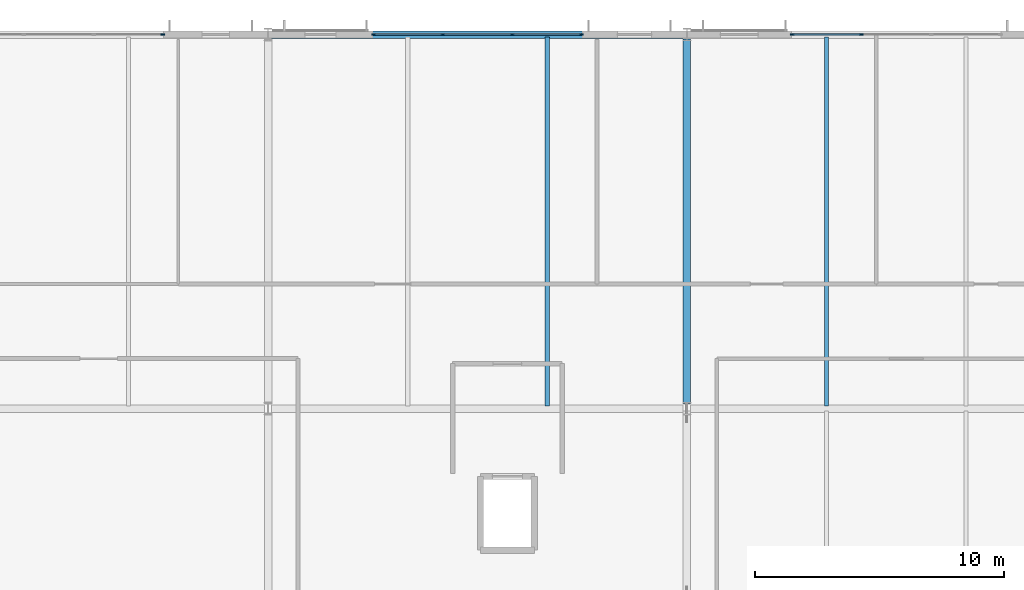
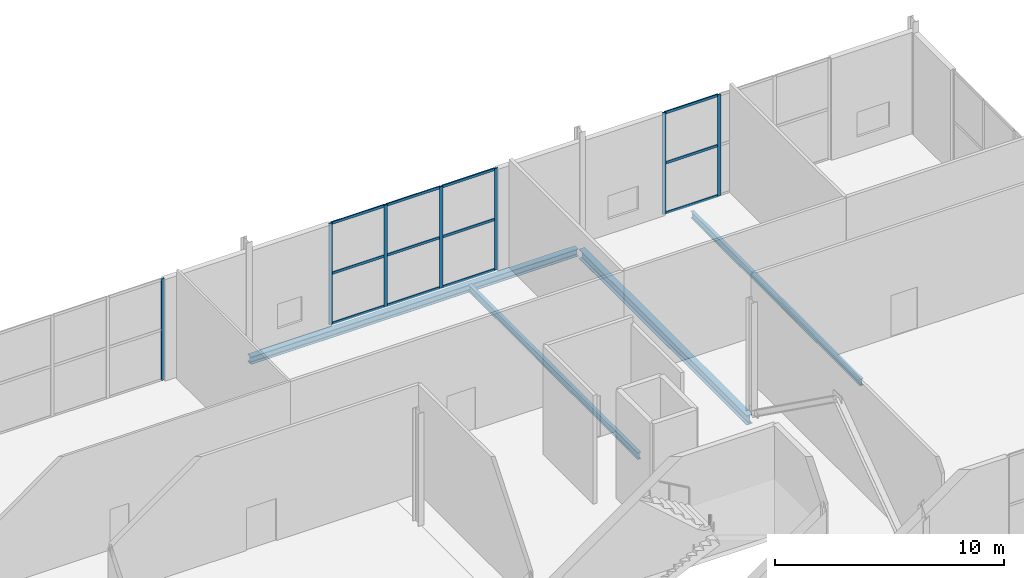
# One storey, part 44 of 100: 19 members, 4 beams, 3 elements without a shape of their own.
"""IFC4 building model written with IfcOpenShell, lengths in metres."""

from ifc_helpers import new_model, si_unit, direction, frame, origin, origin_2d, place, context, subcontext, project, spatial, rectangle, i_section, extrude, material, material_profile, profile_set, type_object, element, aggregate, save


model = new_model("IFC4")

# Units and contexts
model_context = context("Model", 3, precision=1e-05, world=origin(), true_north=direction((0.0, 1.0)))
body_context = subcontext(model_context, "Body", "Model", "MODEL_VIEW")
ifc_project = project(units=[si_unit("LENGTHUNIT", "METRE"), si_unit("AREAUNIT", "SQUARE_METRE"), si_unit("VOLUMEUNIT", "CUBIC_METRE"), si_unit("PLANEANGLEUNIT", "RADIAN"), si_unit("MASSUNIT", "GRAM", prefix="KILO")], contexts=[model_context])

# Site, building, storey
site_placement = place(None, origin())
site = spatial("IfcSite", under=ifc_project, at=site_placement, CompositionType="ELEMENT")
building_placement = place(site_placement, origin())
building = spatial("IfcBuilding", under=site, at=building_placement, Name="Kimbaza Rail Terminus", CompositionType="ELEMENT")
storey_placement = place(building_placement, frame((0.0, 0.0, 10.800048828125)))
storey = spatial("IfcBuildingStorey", under=building, at=storey_placement, Name="L02", CompositionType="ELEMENT", Elevation=10.800048828125)

# Curtain wall, member
ifc_material_1 = material(Name="Anodised aluminium framing and solar low-E glazing", Category="aluminium")
curtain_wall_type = type_object("IfcCurtainWallType", Name="ARC-CW-OP1", PredefinedType="USERDEFINED", material=ifc_material_1)
curtain_wall_1_placement = place(storey_placement, origin())
curtain_wall_1 = element("IfcCurtainWall", 1, at=curtain_wall_1_placement, inside=storey, type_object=curtain_wall_type, Name="Operations North Curtain Wall L02 Bay 4", ObjectType="UNITISED CURTAIN WALL", PredefinedType="USERDEFINED")
ifc_material_2 = material(Name="Anodised architectural aluminium", Category="aluminium")
ifc_material_profile_1 = material_profile(ifc_material_2, rectangle(XDim=0.06201171875, YDim=0.1650390625, at=origin_2d()), Name="MULLION 62x165")
ifc_profile_set_1 = profile_set([ifc_material_profile_1], Name="Anodised architectural aluminium")
member_type_1 = type_object("IfcMemberType", Name="ARC-CWM-05", PredefinedType="MULLION", material=ifc_profile_set_1)
member_1_placement = place(storey_placement, frame((118.1689453125, 133.0, 0.0), z_axis=(0.0, 0.0, 1.0), x_axis=(0.0, 1.0, 0.0)))
member_1 = element("IfcMember", 2, at=member_1_placement, type_object=member_type_1, Name="CW-05 mullion 4", PredefinedType="MULLION", context=body_context, shape_type="SweptSolid", body=[
    extrude(rectangle(XDim=0.06201171875, YDim=0.1650390625, at=origin_2d()), origin(), (0.0, 0.0, 1.0), 5.405029296875),
])
aggregate(curtain_wall_1, [member_1])

# Curtain wall, members
curtain_wall_2_placement = place(storey_placement, origin())
curtain_wall_2 = element("IfcCurtainWall", 3, at=curtain_wall_2_placement, inside=storey, type_object=curtain_wall_type, Name="Operations North Curtain Wall L02 Bay 5", ObjectType="UNITISED CURTAIN WALL", PredefinedType="USERDEFINED")
member_2_placement = place(storey_placement, frame((126.631103515625, 133.0, 0.0), z_axis=(0.0, 0.0, 1.0), x_axis=(0.0, 1.0, 0.0)))
member_2 = element("IfcMember", 4, at=member_2_placement, type_object=member_type_1, Name="CW-05 mullion 1", PredefinedType="MULLION", context=body_context, shape_type="SweptSolid", body=[
    extrude(rectangle(XDim=0.06201171875, YDim=0.1650390625, at=origin_2d()), origin(), (0.0, 0.0, 1.0), 5.405029296875),
])
member_3_placement = place(storey_placement, frame((129.39990234375, 133.0, 0.0), z_axis=(0.0, 0.0, 1.0), x_axis=(0.0, 1.0, 0.0)))
member_3 = element("IfcMember", 5, at=member_3_placement, type_object=member_type_1, Name="CW-05 mullion 2", PredefinedType="MULLION", context=body_context, shape_type="SweptSolid", body=[
    extrude(rectangle(XDim=0.06201171875, YDim=0.1650390625, at=origin_2d()), origin(), (0.0, 0.0, 1.0), 5.405029296875),
])
member_4_placement = place(storey_placement, frame((132.199951171875, 133.0, 0.0), z_axis=(0.0, 0.0, 1.0), x_axis=(0.0, 1.0, 0.0)))
member_4 = element("IfcMember", 6, at=member_4_placement, type_object=member_type_1, Name="CW-05 mullion 3", PredefinedType="MULLION", context=body_context, shape_type="SweptSolid", body=[
    extrude(rectangle(XDim=0.06201171875, YDim=0.1650390625, at=origin_2d()), origin(), (0.0, 0.0, 1.0), 5.405029296875),
])
member_5_placement = place(storey_placement, frame((134.968994140625, 133.0, 0.0), z_axis=(0.0, 0.0, 1.0), x_axis=(0.0, 1.0, 0.0)))
member_5 = element("IfcMember", 7, at=member_5_placement, type_object=member_type_1, Name="CW-05 mullion 4", PredefinedType="MULLION", context=body_context, shape_type="SweptSolid", body=[
    extrude(rectangle(XDim=0.06201171875, YDim=0.1650390625, at=origin_2d()), origin(), (0.0, 0.0, 1.0), 5.405029296875),
])

curtain_wall_3_placement = place(storey_placement, origin())
curtain_wall_3 = element("IfcCurtainWall", 8, at=curtain_wall_3_placement, inside=storey, type_object=curtain_wall_type, Name="Operations North Curtain Wall L02 Bay 6", ObjectType="UNITISED CURTAIN WALL", PredefinedType="USERDEFINED")
member_6_placement = place(storey_placement, frame((143.430908203125, 133.0, 0.0), z_axis=(0.0, 0.0, 1.0), x_axis=(0.0, 1.0, 0.0)))
member_6 = element("IfcMember", 9, at=member_6_placement, type_object=member_type_1, Name="CW-05 mullion 1", PredefinedType="MULLION", context=body_context, shape_type="SweptSolid", body=[
    extrude(rectangle(XDim=0.06201171875, YDim=0.1650390625, at=origin_2d()), origin(), (0.0, 0.0, 1.0), 5.405029296875),
])
member_7_placement = place(storey_placement, frame((146.199951171875, 133.0, 0.0), z_axis=(0.0, 0.0, 1.0), x_axis=(0.0, 1.0, 0.0)))
member_7 = element("IfcMember", 10, at=member_7_placement, type_object=member_type_1, Name="CW-05 mullion 2", PredefinedType="MULLION", context=body_context, shape_type="SweptSolid", body=[
    extrude(rectangle(XDim=0.06201171875, YDim=0.1650390625, at=origin_2d()), origin(), (0.0, 0.0, 1.0), 5.405029296875),
])

# Member
ifc_material_3 = material(Name="Anodised architectural aluminium", Category="aluminium")
ifc_material_profile_2 = material_profile(ifc_material_3, rectangle(XDim=0.06201171875, YDim=0.135009765625, at=origin_2d()), Name="TRANSOM 62x135")
ifc_profile_set_2 = profile_set([ifc_material_profile_2], Name="Anodised architectural aluminium")
member_type_2 = type_object("IfcMemberType", Name="ARC-CWT-05", PredefinedType="USERDEFINED", material=ifc_profile_set_2)
member_8_placement = place(storey_placement, frame((126.662109375, 133.0, 0.031005859375), z_axis=(1.0, 0.0, 0.0), x_axis=(0.0, 1.0, 0.0)))
member_8 = element("IfcMember", 11, at=member_8_placement, type_object=member_type_2, Name="CW-05 transom 1.1", ObjectType="TRANSOM", PredefinedType="USERDEFINED", context=body_context, shape_type="SweptSolid", body=[
    extrude(rectangle(XDim=0.06201171875, YDim=0.135009765625, at=origin_2d()), origin(), (0.0, 0.0, 1.0), 2.706787109375),
])

member_9_placement = place(storey_placement, frame((126.662109375, 133.0, 2.702392578125), z_axis=(1.0, 0.0, 0.0), x_axis=(0.0, 1.0, 0.0)))
member_9 = element("IfcMember", 12, at=member_9_placement, type_object=member_type_2, Name="CW-05 transom 1.2", ObjectType="TRANSOM", PredefinedType="USERDEFINED", context=body_context, shape_type="SweptSolid", body=[
    extrude(rectangle(XDim=0.06201171875, YDim=0.135009765625, at=origin_2d()), origin(), (0.0, 0.0, 1.0), 2.706787109375),
])

member_10_placement = place(storey_placement, frame((126.662109375, 133.0, 5.3740234375), z_axis=(1.0, 0.0, 0.0), x_axis=(0.0, 1.0, 0.0)))
member_10 = element("IfcMember", 13, at=member_10_placement, type_object=member_type_2, Name="CW-05 transom 1.3", ObjectType="TRANSOM", PredefinedType="USERDEFINED", context=body_context, shape_type="SweptSolid", body=[
    extrude(rectangle(XDim=0.06201171875, YDim=0.135009765625, at=origin_2d()), origin(), (0.0, 0.0, 1.0), 2.706787109375),
])

member_11_placement = place(storey_placement, frame((129.430908203125, 133.0, 0.031005859375), z_axis=(1.0, 0.0, 0.0), x_axis=(0.0, 1.0, 0.0)))
member_11 = element("IfcMember", 14, at=member_11_placement, type_object=member_type_2, Name="CW-05 transom 2.1", ObjectType="TRANSOM", PredefinedType="USERDEFINED", context=body_context, shape_type="SweptSolid", body=[
    extrude(rectangle(XDim=0.06201171875, YDim=0.135009765625, at=origin_2d()), origin(), (0.0, 0.0, 1.0), 2.738037109375),
])

member_12_placement = place(storey_placement, frame((129.430908203125, 133.0, 2.702392578125), z_axis=(1.0, 0.0, 0.0), x_axis=(0.0, 1.0, 0.0)))
member_12 = element("IfcMember", 15, at=member_12_placement, type_object=member_type_2, Name="CW-05 transom 2.2", ObjectType="TRANSOM", PredefinedType="USERDEFINED", context=body_context, shape_type="SweptSolid", body=[
    extrude(rectangle(XDim=0.06201171875, YDim=0.135009765625, at=origin_2d()), origin(), (0.0, 0.0, 1.0), 2.738037109375),
])

member_13_placement = place(storey_placement, frame((129.430908203125, 133.0, 5.3740234375), z_axis=(1.0, 0.0, 0.0), x_axis=(0.0, 1.0, 0.0)))
member_13 = element("IfcMember", 16, at=member_13_placement, type_object=member_type_2, Name="CW-05 transom 2.3", ObjectType="TRANSOM", PredefinedType="USERDEFINED", context=body_context, shape_type="SweptSolid", body=[
    extrude(rectangle(XDim=0.06201171875, YDim=0.135009765625, at=origin_2d()), origin(), (0.0, 0.0, 1.0), 2.738037109375),
])

member_14_placement = place(storey_placement, frame((132.23095703125, 133.0, 0.031005859375), z_axis=(1.0, 0.0, 0.0), x_axis=(0.0, 1.0, 0.0)))
member_14 = element("IfcMember", 17, at=member_14_placement, type_object=member_type_2, Name="CW-05 transom 3.1", ObjectType="TRANSOM", PredefinedType="USERDEFINED", context=body_context, shape_type="SweptSolid", body=[
    extrude(rectangle(XDim=0.06201171875, YDim=0.135009765625, at=origin_2d()), origin(), (0.0, 0.0, 1.0), 2.70703125),
])

member_15_placement = place(storey_placement, frame((132.23095703125, 133.0, 2.702392578125), z_axis=(1.0, 0.0, 0.0), x_axis=(0.0, 1.0, 0.0)))
member_15 = element("IfcMember", 18, at=member_15_placement, type_object=member_type_2, Name="CW-05 transom 3.2", ObjectType="TRANSOM", PredefinedType="USERDEFINED", context=body_context, shape_type="SweptSolid", body=[
    extrude(rectangle(XDim=0.06201171875, YDim=0.135009765625, at=origin_2d()), origin(), (0.0, 0.0, 1.0), 2.70703125),
])

member_16_placement = place(storey_placement, frame((132.23095703125, 133.0, 5.3740234375), z_axis=(1.0, 0.0, 0.0), x_axis=(0.0, 1.0, 0.0)))
member_16 = element("IfcMember", 19, at=member_16_placement, type_object=member_type_2, Name="CW-05 transom 3.3", ObjectType="TRANSOM", PredefinedType="USERDEFINED", context=body_context, shape_type="SweptSolid", body=[
    extrude(rectangle(XDim=0.06201171875, YDim=0.135009765625, at=origin_2d()), origin(), (0.0, 0.0, 1.0), 2.70703125),
])

aggregate(curtain_wall_2, [member_2, member_3, member_4, member_5, member_8, member_9, member_10, member_11, member_12, member_13, member_14, member_15, member_16])

member_17_placement = place(storey_placement, frame((143.4619140625, 133.0, 0.031005859375), z_axis=(1.0, 0.0, 0.0), x_axis=(0.0, 1.0, 0.0)))
member_17 = element("IfcMember", 20, at=member_17_placement, type_object=member_type_2, Name="CW-05 transom 1.1", ObjectType="TRANSOM", PredefinedType="USERDEFINED", context=body_context, shape_type="SweptSolid", body=[
    extrude(rectangle(XDim=0.06201171875, YDim=0.135009765625, at=origin_2d()), origin(), (0.0, 0.0, 1.0), 2.70703125),
])

member_18_placement = place(storey_placement, frame((143.4619140625, 133.0, 2.702392578125), z_axis=(1.0, 0.0, 0.0), x_axis=(0.0, 1.0, 0.0)))
member_18 = element("IfcMember", 21, at=member_18_placement, type_object=member_type_2, Name="CW-05 transom 1.2", ObjectType="TRANSOM", PredefinedType="USERDEFINED", context=body_context, shape_type="SweptSolid", body=[
    extrude(rectangle(XDim=0.06201171875, YDim=0.135009765625, at=origin_2d()), origin(), (0.0, 0.0, 1.0), 2.70703125),
])

member_19_placement = place(storey_placement, frame((143.4619140625, 133.0, 5.3740234375), z_axis=(1.0, 0.0, 0.0), x_axis=(0.0, 1.0, 0.0)))
member_19 = element("IfcMember", 22, at=member_19_placement, type_object=member_type_2, Name="CW-05 transom 1.3", ObjectType="TRANSOM", PredefinedType="USERDEFINED", context=body_context, shape_type="SweptSolid", body=[
    extrude(rectangle(XDim=0.06201171875, YDim=0.135009765625, at=origin_2d()), origin(), (0.0, 0.0, 1.0), 2.70703125),
])

aggregate(curtain_wall_3, [member_6, member_7, member_17, member_18, member_19])

# Beams
ifc_material_4 = material(Name="Steel S355", Category="steel")
ifc_material_profile_3 = material_profile(ifc_material_4, i_section(OverallWidth=0.300048828125, OverallDepth=0.389892578125, WebThickness=0.010986328125, FlangeThickness=0.01904296875, FilletRadius=0.027099609375, at=origin_2d()), Name="HEA 400")
ifc_profile_set_3 = profile_set([ifc_material_profile_3], Name="Steel S355")
beam_type_1 = type_object("IfcBeamType", Name="STR-BM-HEA400", PredefinedType="SPANDREL", material=ifc_profile_set_3)
beam_1_placement = place(storey_placement, frame((122.5458984375, 133.0, -0.43505859375), z_axis=(1.0, 0.0, 0.0), x_axis=(0.0, 1.0, 0.0)))
element("IfcBeam", 23, at=beam_1_placement, inside=storey, type_object=beam_type_1, Name="Operations Girder L02 X4-Y2", PredefinedType="SPANDREL", context=body_context, shape_type="SweptSolid", body=[
    extrude(i_section(OverallWidth=0.300048828125, OverallDepth=0.389892578125, WebThickness=0.010986328125, FlangeThickness=0.01904296875, FilletRadius=0.027099609375, at=origin_2d()), origin(), (0.0, 0.0, 1.0), 16.508056640625),
])
ifc_material_5 = material(Name="Steel S355", Category="steel")
ifc_material_profile_4 = material_profile(ifc_material_5, i_section(OverallWidth=0.300048828125, OverallDepth=0.5, WebThickness=0.014404296875, FlangeThickness=0.028076171875, FilletRadius=0.027099609375, at=origin_2d()), Name="HEB 500")
ifc_profile_set_4 = profile_set([ifc_material_profile_4], Name="Steel S355")
beam_type_2 = type_object("IfcBeamType", Name="STR-BM-HEB500", PredefinedType="BEAM", material=ifc_profile_set_4)
beam_2_placement = place(storey_placement, frame((139.199951171875, 118.175048828125, -0.489990234375), z_axis=(0.0, 1.0, 0.0), x_axis=(-1.0, 0.0, 0.0)))
element("IfcBeam", 24, at=beam_2_placement, inside=storey, type_object=beam_type_2, Name="Operations Cross Girder L02 X5-Y1", PredefinedType="BEAM", context=body_context, shape_type="SweptSolid", body=[
    extrude(i_section(OverallWidth=0.300048828125, OverallDepth=0.5, WebThickness=0.014404296875, FlangeThickness=0.028076171875, FilletRadius=0.027099609375, at=origin_2d()), origin(), (0.0, 0.0, 1.0), 14.64990234375),
])
ifc_material_6 = material(Name="Steel S355", Category="steel")
ifc_material_profile_5 = material_profile(ifc_material_6, i_section(OverallWidth=0.169921875, OverallDepth=0.360107421875, WebThickness=0.008056640625, FlangeThickness=0.0126953125, FilletRadius=0.01806640625, at=origin_2d()), Name="IPE 360")
ifc_profile_set_5 = profile_set([ifc_material_profile_5], Name="Steel S355")
beam_type_3 = type_object("IfcBeamType", Name="STR-BM-IPE360", PredefinedType="JOIST", material=ifc_profile_set_5)
for number, where, z_axis, x_axis, name in (
    (25, (133.60009765625, 118.10009765625, -0.420166015625), (0.0, 1.0, 0.0), (-1.0, 0.0, 0.0), "Operations Secondary Joist L02"),
    (26, (144.800048828125, 118.10009765625, -0.420166015625), (0.0, 1.0, 0.0), (-1.0, 0.0, 0.0), "Operations Secondary Joist L02"),
):
    element("IfcBeam", number, at=place(storey_placement, frame(where, z_axis=z_axis, x_axis=x_axis)), inside=storey, type_object=beam_type_3, Name=name, PredefinedType="JOIST", context=body_context, shape_type="SweptSolid", body=[
        extrude(i_section(OverallWidth=0.169921875, OverallDepth=0.360107421875, WebThickness=0.008056640625, FlangeThickness=0.0126953125, FilletRadius=0.01806640625, at=origin_2d()), origin(), (0.0, 0.0, 1.0), 14.7998046875),
    ])

save(model, "model.ifc")
